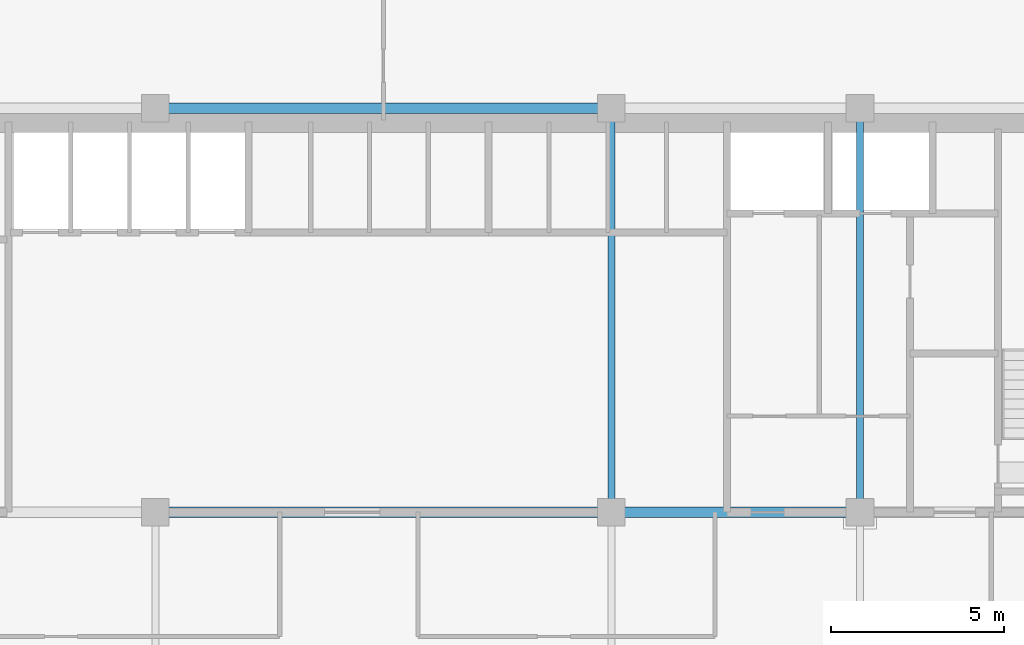
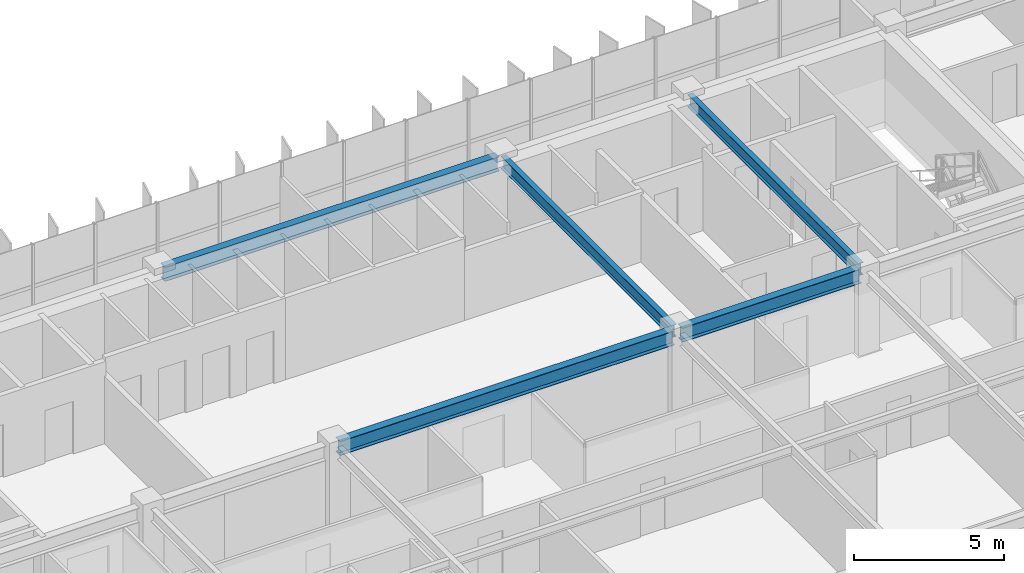
# One storey, part 8 of 22: 5 beams.
"""IFC4 building model written with IfcOpenShell, lengths in metres."""

from ifc_helpers import new_model, si_unit, direction, frame, origin, origin_2d, place, context, subcontext, project, spatial, i_section, extrude, source, transform, mapped, material, material_profile, profile_set, type_object, element, save


model = new_model("IFC4")

# Units and contexts
model_context = context("Model", 3, precision=1e-05, world=origin(), true_north=direction((0.0, 1.0)))
body_context = subcontext(model_context, "Body", "Model", "MODEL_VIEW")
ifc_project = project(units=[si_unit("LENGTHUNIT", "METRE"), si_unit("AREAUNIT", "SQUARE_METRE"), si_unit("VOLUMEUNIT", "CUBIC_METRE"), si_unit("PLANEANGLEUNIT", "RADIAN"), si_unit("MASSUNIT", "GRAM", prefix="KILO")], contexts=[model_context])

# Site, building, storey
site_placement = place(None, origin())
site = spatial("IfcSite", under=ifc_project, at=site_placement, CompositionType="ELEMENT")
building_placement = place(site_placement, origin())
building = spatial("IfcBuilding", under=site, at=building_placement, Name="Trelvane Seafront Commons", CompositionType="ELEMENT")
storey_placement = place(building_placement, frame((0.0, 0.0, 114.10009765625)))
storey = spatial("IfcBuildingStorey", under=building, at=storey_placement, Name="L29", CompositionType="ELEMENT", Elevation=114.10009765625)

# Beams
ifc_material = material(Name="Steel SM355 (S355)", Category="steel")
ifc_material_profile_1 = material_profile(ifc_material, i_section(OverallWidth=0.300048828125, OverallDepth=0.587890625, WebThickness=0.011962890625, FlangeThickness=0.02001953125, at=origin_2d()), Name="H-588x300x12x20")
ifc_profile_set_1 = profile_set([ifc_material_profile_1], Name="Steel SM355 (S355)")
beam_type_1 = type_object("IfcBeamType", Name="STR-BM-H588", PredefinedType="BEAM", material=ifc_profile_set_1)
shared_shape_1 = source(origin(), body_context, "Body", "SweptSolid", [
    extrude(i_section(OverallWidth=0.300048828125, OverallDepth=0.587890625, WebThickness=0.011962890625, FlangeThickness=0.02001953125, at=origin_2d()), origin(), (0.0, 0.0, 1.0), 12.89990234375),
])
for number, where, z_axis, x_axis, name in (
    (1, (30.75, 33.39990234375, 3.0458984375), (1.0, 0.0, 0.0), (0.0, 1.0, 0.0), "L29 Primary Girder G-23"),
    (2, (30.75, 45.10009765625, 3.0458984375), (1.0, 0.0, 0.0), (0.0, 1.0, 0.0), "L29 Primary Girder G-32"),
):
    element("IfcBeam", number, at=place(storey_placement, frame(where, z_axis=z_axis, x_axis=x_axis)), inside=storey, type_object=beam_type_1, Name=name, PredefinedType="BEAM", context=body_context, shape_type="MappedRepresentation", body=[
        mapped(shared_shape_1, transform((0.0, 0.0, 0.0), x_axis=(1.0, 0.0, 0.0), y_axis=(0.0, 1.0, 0.0), z_axis=(0.0, 0.0, 1.0), scale=1.0)),
    ])
shared_shape_2 = source(origin(), body_context, "Body", "SweptSolid", [
    extrude(i_section(OverallWidth=0.300048828125, OverallDepth=0.587890625, WebThickness=0.011962890625, FlangeThickness=0.02001953125, at=origin_2d()), origin(), (0.0, 0.0, 1.0), 6.900146484375),
])
beam_placement = place(storey_placement, frame((43.949951171875, 33.39990234375, 3.0458984375), z_axis=(1.0, 0.0, 0.0), x_axis=(0.0, 1.0, 0.0)))
element("IfcBeam", 3, at=beam_placement, inside=storey, type_object=beam_type_1, Name="L29 Primary Girder G-24", PredefinedType="BEAM", context=body_context, shape_type="MappedRepresentation", body=[
    mapped(shared_shape_2, transform((0.0, 0.0, 0.0), x_axis=(1.0, 0.0, 0.0), y_axis=(0.0, 1.0, 0.0), z_axis=(0.0, 0.0, 1.0), scale=1.0)),
])
ifc_material_profile_2 = material_profile(ifc_material, i_section(OverallWidth=0.199951171875, OverallDepth=0.5, WebThickness=0.010009765625, FlangeThickness=0.01611328125, at=origin_2d()), Name="H-500x200x10x16")
ifc_profile_set_2 = profile_set([ifc_material_profile_2], Name="Steel SM355 (S355)")
beam_type_2 = type_object("IfcBeamType", Name="STR-BM-H500", PredefinedType="BEAM", material=ifc_profile_set_2)
shared_shape_3 = source(origin(), body_context, "Body", "SweptSolid", [
    extrude(i_section(OverallWidth=0.199951171875, OverallDepth=0.5, WebThickness=0.010009765625, FlangeThickness=0.01611328125, at=origin_2d()), origin(), (0.0, 0.0, 1.0), 11.39990234375),
])
for number, where, z_axis, x_axis, name in (
    (4, (43.800048828125, 33.550048828125, 3.08984375), (0.0, 1.0, 0.0), (-1.0, 0.0, 0.0), "L29 Primary Girder G-54"),
    (5, (51.0, 33.550048828125, 3.08984375), (0.0, 1.0, 0.0), (-1.0, 0.0, 0.0), "L29 Primary Girder G-57"),
):
    element("IfcBeam", number, at=place(storey_placement, frame(where, z_axis=z_axis, x_axis=x_axis)), inside=storey, type_object=beam_type_2, Name=name, PredefinedType="BEAM", context=body_context, shape_type="MappedRepresentation", body=[
        mapped(shared_shape_3, transform((0.0, 0.0, 0.0), x_axis=(1.0, 0.0, 0.0), y_axis=(0.0, 1.0, 0.0), z_axis=(0.0, 0.0, 1.0), scale=1.0)),
    ])

save(model, "model.ifc")
